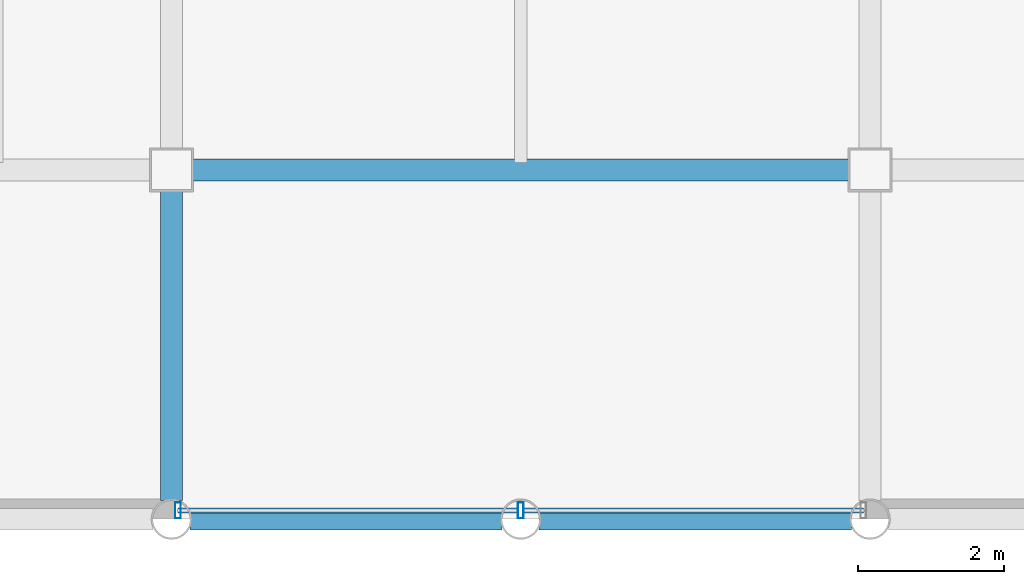
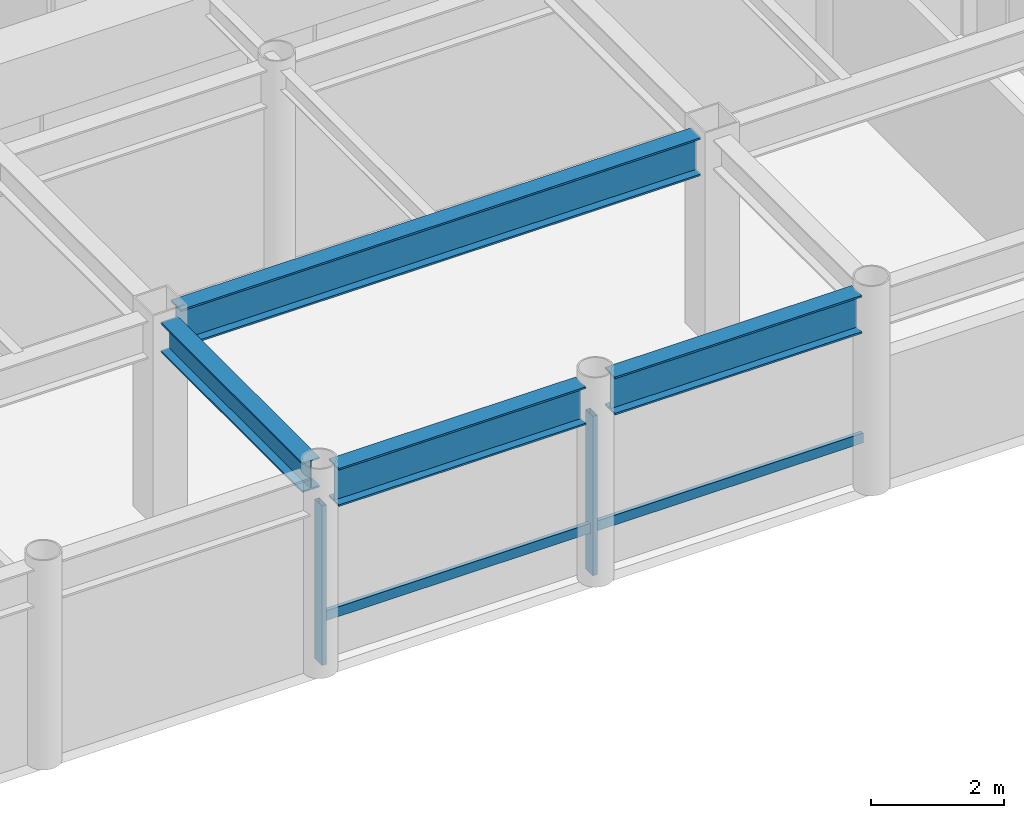
# One storey, part 4 of 22: 4 beams, 4 members, 1 element without a shape of its own.
"""IFC4 building model written with IfcOpenShell, lengths in metres."""

from ifc_helpers import new_model, si_unit, direction, frame, origin, origin_2d, place, context, subcontext, project, spatial, hollow_rectangle, i_section, extrude, material, layer, layer_set, material_profile, profile_set, type_object, element, aggregate, save


model = new_model("IFC4")

# Units and contexts
model_context = context("Model", 3, precision=1e-05, world=origin(), true_north=direction((0.0, 1.0)))
body_context = subcontext(model_context, "Body", "Model", "MODEL_VIEW")
ifc_project = project(units=[si_unit("LENGTHUNIT", "METRE"), si_unit("AREAUNIT", "SQUARE_METRE"), si_unit("VOLUMEUNIT", "CUBIC_METRE"), si_unit("PLANEANGLEUNIT", "RADIAN"), si_unit("MASSUNIT", "GRAM", prefix="KILO")], contexts=[model_context])

# Site, building, storey
site_placement = place(None, origin())
site = spatial("IfcSite", under=ifc_project, at=site_placement, CompositionType="ELEMENT")
building_placement = place(site_placement, origin())
building = spatial("IfcBuilding", under=site, at=building_placement, Name="Kallvorn Hotel Tower", CompositionType="ELEMENT")
storey_placement = place(building_placement, frame((0.0, 0.0, 226.14990234375)))
storey = spatial("IfcBuildingStorey", under=building, at=storey_placement, Name="L56", CompositionType="ELEMENT", Elevation=226.14990234375)

# Beams
ifc_material_1 = material(Name="Structural steel S355JR", Category="steel")
ifc_material_profile_1 = material_profile(ifc_material_1, i_section(OverallWidth=0.300048828125, OverallDepth=0.550048828125, WebThickness=0.014892578125, FlangeThickness=0.029052734375, at=origin_2d()), Name="HE 550 B")
ifc_profile_set_1 = profile_set([ifc_material_profile_1], Name="Structural steel S355JR")
beam_type_1 = type_object("IfcBeamType", Name="BM_HE550B", PredefinedType="SPANDREL", material=ifc_profile_set_1)
beam_1_placement = place(storey_placement, frame((-4.800048828125, -18.945556640625, 3.39501953125), z_axis=(0.0, 1.0, 0.0), x_axis=(-1.0, 0.0, 0.0)))
element("IfcBeam", 1, at=beam_1_placement, inside=storey, type_object=beam_type_1, Name="L57 Primary Y-Girder 105", PredefinedType="SPANDREL", context=body_context, shape_type="SweptSolid", body=[
    extrude(i_section(OverallWidth=0.300048828125, OverallDepth=0.550048828125, WebThickness=0.014892578125, FlangeThickness=0.029052734375, at=origin_2d()), origin(), (0.0, 0.0, 1.0), 4.2705078125),
])
ifc_material_2 = material(Name="Structural steel S355JR", Category="steel")
ifc_material_profile_2 = material_profile(ifc_material_2, i_section(OverallWidth=0.300048828125, OverallDepth=0.699951171875, WebThickness=0.01708984375, FlangeThickness=0.031982421875, at=origin_2d()), Name="HE 700 B")
ifc_profile_set_2 = profile_set([ifc_material_profile_2], Name="Structural steel S355JR")
beam_type_2 = type_object("IfcBeamType", Name="BM_HE700B", PredefinedType="BEAM", material=ifc_profile_set_2)
for number, where, z_axis, x_axis, name in (
    (2, (-4.54541015625, -19.199951171875, 3.320068359375), (1.0, 0.0, 0.0), (0.0, 1.0, 0.0), "L57 Primary X-Girder 06"),
    (3, (0.25439453125, -19.199951171875, 3.320068359375), (1.0, 0.0, 0.0), (0.0, 1.0, 0.0), "L57 Primary X-Girder 07"),
):
    element("IfcBeam", number, at=place(storey_placement, frame(where, z_axis=z_axis, x_axis=x_axis)), inside=storey, type_object=beam_type_2, Name=name, PredefinedType="BEAM", context=body_context, shape_type="SweptSolid", body=[
        extrude(i_section(OverallWidth=0.300048828125, OverallDepth=0.699951171875, WebThickness=0.01708984375, FlangeThickness=0.031982421875, at=origin_2d()), origin(), (0.0, 0.0, 1.0), 4.291015625),
    ])
beam_2_placement = place(storey_placement, frame((-4.52490234375, -14.39990234375, 3.320068359375), z_axis=(1.0, 0.0, 0.0), x_axis=(0.0, 1.0, 0.0)))
element("IfcBeam", 4, at=beam_2_placement, inside=storey, type_object=beam_type_2, Name="L57 Primary X-Girder 17", PredefinedType="BEAM", context=body_context, shape_type="SweptSolid", body=[
    extrude(i_section(OverallWidth=0.300048828125, OverallDepth=0.699951171875, WebThickness=0.01708984375, FlangeThickness=0.031982421875, at=origin_2d()), origin(), (0.0, 0.0, 1.0), 9.0498046875),
])

# Curtain wall, members
ifc_material_3 = material(Name="Thermally broken black-anodised aluminium AA 6063-T6", Category="aluminium")
ifc_layer = layer(ifc_material_3, 0.22998046875)
ifc_layer_set = layer_set([ifc_layer], Name="CW_SYS_5_HOTEL_HIGH")
curtain_wall_type = type_object("IfcCurtainWallType", Name="CW_SYS_5_HOTEL_HIGH", PredefinedType="USERDEFINED", material=ifc_layer_set)
curtain_wall_placement = place(storey_placement, origin())
curtain_wall = element("IfcCurtainWall", 5, at=curtain_wall_placement, inside=storey, type_object=curtain_wall_type, Name="L56 Dark-Glass Curtain Wall CW-L56-SC", ObjectType="UNITISED CURTAIN WALL", PredefinedType="USERDEFINED")
ifc_material_4 = material(Name="Thermally broken black-anodised aluminium AA 6063-T6", Category="aluminium")
ifc_material_profile_3 = material_profile(ifc_material_4, hollow_rectangle(XDim=0.080078125, YDim=0.219970703125, WallThickness=0.0048828125, at=origin_2d()), Name="MUL 220x80")
ifc_profile_set_3 = profile_set([ifc_material_profile_3], Name="Thermally broken black-anodised aluminium AA 6063-T6")
member_type_1 = type_object("IfcMemberType", Name="CW_MULLION_220x80", PredefinedType="MULLION", material=ifc_profile_set_3)
member_1_placement = place(storey_placement, frame((-4.7099609375, -19.080078125, 0.02001953125), z_axis=(0.0, 0.0, 1.0), x_axis=(1.0, 0.0, 0.0)))
member_1 = element("IfcMember", 6, at=member_1_placement, type_object=member_type_1, Name="CW-L56-SC Mullion 00", PredefinedType="MULLION", context=body_context, shape_type="SweptSolid", body=[
    extrude(hollow_rectangle(XDim=0.080078125, YDim=0.219970703125, WallThickness=0.0048828125, at=origin_2d()), origin(), (0.0, 0.0, 1.0), 2.93017578125),
])
member_2_placement = place(storey_placement, frame((0.0, -19.080078125, 0.02001953125), z_axis=(0.0, 0.0, 1.0), x_axis=(1.0, 0.0, 0.0)))
member_2 = element("IfcMember", 7, at=member_2_placement, type_object=member_type_1, Name="CW-L56-SC Mullion 01", PredefinedType="MULLION", context=body_context, shape_type="SweptSolid", body=[
    extrude(hollow_rectangle(XDim=0.080078125, YDim=0.219970703125, WallThickness=0.0048828125, at=origin_2d()), origin(), (0.0, 0.0, 1.0), 2.93017578125),
])
ifc_material_5 = material(Name="Thermally broken black-anodised aluminium AA 6063-T6", Category="aluminium")
ifc_material_profile_4 = material_profile(ifc_material_5, hollow_rectangle(XDim=0.070068359375, YDim=0.179931640625, WallThickness=0.00390625, at=origin_2d()), Name="TRN 180x70")
ifc_profile_set_4 = profile_set([ifc_material_profile_4], Name="Thermally broken black-anodised aluminium AA 6063-T6")
member_type_2 = type_object("IfcMemberType", Name="CW_TRANSOM_180x70", PredefinedType="USERDEFINED", material=ifc_profile_set_4)
member_3_placement = place(storey_placement, frame((-4.7099609375, -19.080078125, 0.85009765625), z_axis=(1.0, 0.0, 0.0), x_axis=(0.0, 1.0, 0.0)))
member_3 = element("IfcMember", 8, at=member_3_placement, type_object=member_type_2, Name="CW-L56-SC Transom 00M", ObjectType="TRANSOM", PredefinedType="USERDEFINED", context=body_context, shape_type="SweptSolid", body=[
    extrude(hollow_rectangle(XDim=0.070068359375, YDim=0.179931640625, WallThickness=0.00390625, at=origin_2d()), origin(), (0.0, 0.0, 1.0), 4.669921875),
])
member_4_placement = place(storey_placement, frame((0.0400390625, -19.080078125, 0.85009765625), z_axis=(1.0, 0.0, 0.0), x_axis=(0.0, 1.0, 0.0)))
member_4 = element("IfcMember", 9, at=member_4_placement, type_object=member_type_2, Name="CW-L56-SC Transom 01M", ObjectType="TRANSOM", PredefinedType="USERDEFINED", context=body_context, shape_type="SweptSolid", body=[
    extrude(hollow_rectangle(XDim=0.070068359375, YDim=0.179931640625, WallThickness=0.00390625, at=origin_2d()), origin(), (0.0, 0.0, 1.0), 4.669921875),
])
aggregate(curtain_wall, [member_1, member_2, member_3, member_4])

save(model, "model.ifc")
